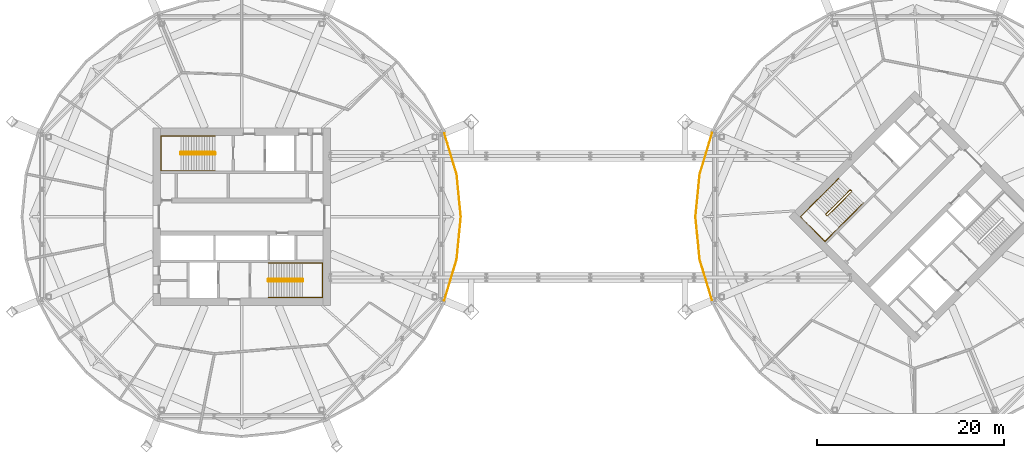
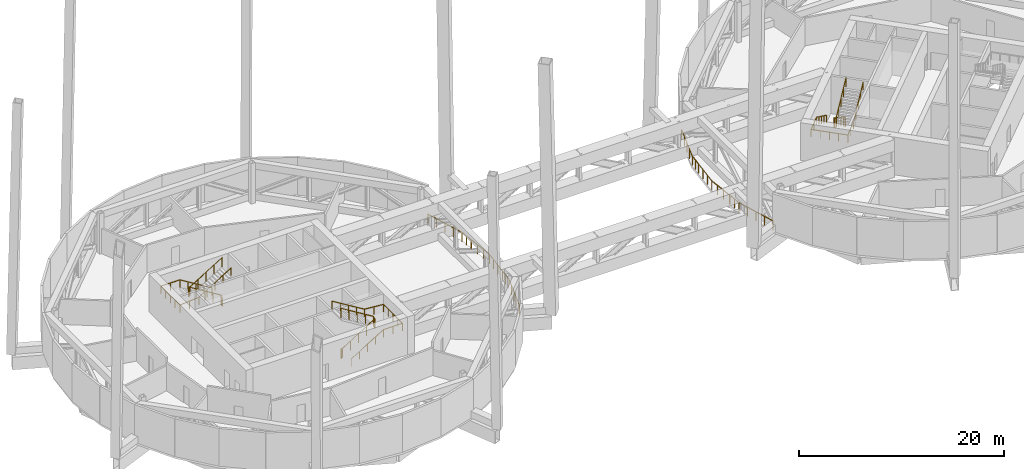
# One storey, part 18 of 19: 12 railings.
"""IFC4 building model written with IfcOpenShell, lengths in metres."""

from ifc_helpers import new_model, si_unit, direction, frame, origin, origin_2d, place, context, subcontext, project, spatial, circle, extrude, material, type_object, element, save


model = new_model("IFC4")

# Units and contexts
model_context = context("Model", 3, precision=1e-05, world=origin(), true_north=direction((0.0, 1.0)))
body_context = subcontext(model_context, "Body", "Model", "MODEL_VIEW")
ifc_project = project(units=[si_unit("LENGTHUNIT", "METRE"), si_unit("AREAUNIT", "SQUARE_METRE"), si_unit("VOLUMEUNIT", "CUBIC_METRE"), si_unit("PLANEANGLEUNIT", "RADIAN"), si_unit("MASSUNIT", "GRAM", prefix="KILO")], contexts=[model_context])

# Site, building, storey
site_placement = place(None, origin())
site = spatial("IfcSite", under=ifc_project, at=site_placement, CompositionType="ELEMENT")
building_placement = place(site_placement, origin())
building = spatial("IfcBuilding", under=site, at=building_placement, Name="Ogive Gate Towers", CompositionType="ELEMENT")
storey_placement = place(building_placement, frame((0.0, 0.0, 130.800048828125)))
storey = spatial("IfcBuildingStorey", under=building, at=storey_placement, Name="L31", CompositionType="ELEMENT", Elevation=130.800048828125)

# Railings
ifc_material = material(Name="Stainless steel", Category="steel")
railing_type_1 = type_object("IfcRailingType", Name="Guard 1100", PredefinedType="GUARDRAIL", material=ifc_material)
railing_1_placement = place(storey_placement, frame((-14.33544921875, -8.9736328125, 0.0)))
element("IfcRailing", 1, at=railing_1_placement, inside=storey, type_object=railing_type_1, Name="Gate arc guard", PredefinedType="GUARDRAIL", context=body_context, shape_type="SweptSolid", body=[
    extrude(circle(Radius=0.02392578125, at=origin_2d()), frame((0.0, 0.0, 1.076171875), z_axis=(0.290250605757, 0.956950670546, 0.0), x_axis=(-0.956950670546, 0.290250605757, 0.0)), (0.0, 0.0, 1.0), 4.596923828125),
    extrude(circle(Radius=0.02392578125, at=origin_2d()), frame((1.334228515625, 4.39892578125, 1.076171875), z_axis=(0.098166390147, 0.995170015548, 0.0), x_axis=(-0.995170015548, 0.098166390147, 0.0)), (0.0, 0.0, 1.0), 1.482177734375),
    extrude(circle(Radius=0.02099609375, at=origin_2d()), origin(), (0.0, 0.0, 1.0), 1.052001953125),
    extrude(circle(Radius=0.02099609375, at=origin_2d()), frame((0.33349609375, 1.099609375, 0.0)), (0.0, 0.0, 1.0), 1.052001953125),
    extrude(circle(Radius=0.02099609375, at=origin_2d()), frame((0.6669921875, 2.199462890625, 0.0)), (0.0, 0.0, 1.0), 1.052001953125),
    extrude(circle(Radius=0.02099609375, at=origin_2d()), frame((1.000732421875, 3.29931640625, 0.0)), (0.0, 0.0, 1.0), 1.052001953125),
    extrude(circle(Radius=0.02099609375, at=origin_2d()), frame((1.334228515625, 4.39892578125, 0.0)), (0.0, 0.0, 1.0), 1.052001953125),
    extrude(circle(Radius=0.02099609375, at=origin_2d()), frame((1.406982421875, 5.136474609375, 0.0)), (0.0, 0.0, 1.0), 1.052001953125),
    extrude(circle(Radius=0.02099609375, at=origin_2d()), frame((1.479736328125, 5.8740234375, 0.0)), (0.0, 0.0, 1.0), 1.052001953125),
])
railing_2_placement = place(storey_placement, frame((-12.850830078125, -3.0498046875, 0.0)))
element("IfcRailing", 2, at=railing_2_placement, inside=storey, type_object=railing_type_1, Name="Gate arc guard", PredefinedType="GUARDRAIL", context=body_context, shape_type="SweptSolid", body=[
    extrude(circle(Radius=0.02392578125, at=origin_2d()), frame((0.0, 0.0, 1.076171875), z_axis=(0.097989161289, 0.99518748197, 0.0), x_axis=(-0.99518748197, 0.097989161289, 0.0)), (0.0, 0.0, 1.0), 3.064453125),
    extrude(circle(Radius=0.02392578125, at=origin_2d()), frame((0.30029296875, 3.0498046875, 1.076171875), z_axis=(-0.097996095944, 0.995186799139, 0.0), x_axis=(-0.995186799139, -0.097996095944, 0.0)), (0.0, 0.0, 1.0), 3.014404296875),
    extrude(circle(Radius=0.02099609375, at=origin_2d()), origin(), (0.0, 0.0, 1.0), 1.052001953125),
    extrude(circle(Radius=0.02099609375, at=origin_2d()), frame((0.10009765625, 1.0166015625, 0.0)), (0.0, 0.0, 1.0), 1.052001953125),
    extrude(circle(Radius=0.02099609375, at=origin_2d()), frame((0.2001953125, 2.033203125, 0.0)), (0.0, 0.0, 1.0), 1.052001953125),
    extrude(circle(Radius=0.02099609375, at=origin_2d()), frame((0.30029296875, 3.0498046875, 0.0)), (0.0, 0.0, 1.0), 1.052001953125),
    extrude(circle(Radius=0.02099609375, at=origin_2d()), frame((0.201904296875, 4.0498046875, 0.0)), (0.0, 0.0, 1.0), 1.052001953125),
    extrude(circle(Radius=0.02099609375, at=origin_2d()), frame((0.103271484375, 5.0498046875, 0.0)), (0.0, 0.0, 1.0), 1.052001953125),
    extrude(circle(Radius=0.02099609375, at=origin_2d()), frame((0.0048828125, 6.0498046875, 0.0)), (0.0, 0.0, 1.0), 1.052001953125),
])
railing_3_placement = place(storey_placement, frame((-12.850830078125, 3.0498046875, 0.0)))
element("IfcRailing", 3, at=railing_3_placement, inside=storey, type_object=railing_type_1, Name="Gate arc guard", PredefinedType="GUARDRAIL", context=body_context, shape_type="SweptSolid", body=[
    extrude(circle(Radius=0.02392578125, at=origin_2d()), frame((0.0, 0.0, 1.076171875), z_axis=(-0.098146959675, 0.995171932033, 0.0), x_axis=(-0.995171932033, -0.098146959675, 0.0)), (0.0, 0.0, 1.0), 1.5322265625),
    extrude(circle(Radius=0.02392578125, at=origin_2d()), frame((-0.150390625, 1.52490234375, 1.076171875), z_axis=(-0.290272650494, 0.956943983927, 0.0), x_axis=(-0.956943983927, -0.290272650494, 0.0)), (0.0, 0.0, 1.0), 4.546875),
    extrude(circle(Radius=0.02099609375, at=origin_2d()), origin(), (0.0, 0.0, 1.0), 1.052001953125),
    extrude(circle(Radius=0.02099609375, at=origin_2d()), frame((-0.0751953125, 0.762451171875, 0.0)), (0.0, 0.0, 1.0), 1.052001953125),
    extrude(circle(Radius=0.02099609375, at=origin_2d()), frame((-0.150390625, 1.52490234375, 0.0)), (0.0, 0.0, 1.0), 1.052001953125),
    extrude(circle(Radius=0.02099609375, at=origin_2d()), frame((-0.48046875, 2.61279296875, 0.0)), (0.0, 0.0, 1.0), 1.052001953125),
    extrude(circle(Radius=0.02099609375, at=origin_2d()), frame((-0.810302734375, 3.700439453125, 0.0)), (0.0, 0.0, 1.0), 1.052001953125),
    extrude(circle(Radius=0.02099609375, at=origin_2d()), frame((-1.14013671875, 4.7880859375, 0.0)), (0.0, 0.0, 1.0), 1.052001953125),
    extrude(circle(Radius=0.02099609375, at=origin_2d()), frame((-1.47021484375, 5.8759765625, 0.0)), (0.0, 0.0, 1.0), 1.052001953125),
])
railing_4_placement = place(storey_placement, frame((14.33544921875, 8.9736328125, 0.0)))
element("IfcRailing", 4, at=railing_4_placement, inside=storey, type_object=railing_type_1, Name="Gate arc guard", PredefinedType="GUARDRAIL", context=body_context, shape_type="SweptSolid", body=[
    extrude(circle(Radius=0.02392578125, at=origin_2d()), frame((0.0, 0.0, 1.076171875), z_axis=(-0.290250605757, -0.956950670546, 0.0), x_axis=(0.956950670546, -0.290250605757, 0.0)), (0.0, 0.0, 1.0), 4.596923828125),
    extrude(circle(Radius=0.02392578125, at=origin_2d()), frame((-1.334228515625, -4.39892578125, 1.076171875), z_axis=(-0.098166390147, -0.995170015548, 0.0), x_axis=(0.995170015548, -0.098166390147, 0.0)), (0.0, 0.0, 1.0), 1.482177734375),
    extrude(circle(Radius=0.02099609375, at=origin_2d()), origin(), (0.0, 0.0, 1.0), 1.052001953125),
    extrude(circle(Radius=0.02099609375, at=origin_2d()), frame((-0.33349609375, -1.099609375, 0.0)), (0.0, 0.0, 1.0), 1.052001953125),
    extrude(circle(Radius=0.02099609375, at=origin_2d()), frame((-0.6669921875, -2.199462890625, 0.0)), (0.0, 0.0, 1.0), 1.052001953125),
    extrude(circle(Radius=0.02099609375, at=origin_2d()), frame((-1.000732421875, -3.29931640625, 0.0)), (0.0, 0.0, 1.0), 1.052001953125),
    extrude(circle(Radius=0.02099609375, at=origin_2d()), frame((-1.334228515625, -4.39892578125, 0.0)), (0.0, 0.0, 1.0), 1.052001953125),
    extrude(circle(Radius=0.02099609375, at=origin_2d()), frame((-1.406982421875, -5.136474609375, 0.0)), (0.0, 0.0, 1.0), 1.052001953125),
    extrude(circle(Radius=0.02099609375, at=origin_2d()), frame((-1.479736328125, -5.8740234375, 0.0)), (0.0, 0.0, 1.0), 1.052001953125),
])
railing_5_placement = place(storey_placement, frame((12.850830078125, 3.0498046875, 0.0)))
element("IfcRailing", 5, at=railing_5_placement, inside=storey, type_object=railing_type_1, Name="Gate arc guard", PredefinedType="GUARDRAIL", context=body_context, shape_type="SweptSolid", body=[
    extrude(circle(Radius=0.02392578125, at=origin_2d()), frame((0.0, 0.0, 1.076171875), z_axis=(-0.097989161289, -0.99518748197, 0.0), x_axis=(0.99518748197, -0.097989161289, 0.0)), (0.0, 0.0, 1.0), 3.064453125),
    extrude(circle(Radius=0.02392578125, at=origin_2d()), frame((-0.30029296875, -3.0498046875, 1.076171875), z_axis=(0.097996095944, -0.995186799139, 0.0), x_axis=(0.995186799139, 0.097996095944, 0.0)), (0.0, 0.0, 1.0), 3.014404296875),
    extrude(circle(Radius=0.02099609375, at=origin_2d()), origin(), (0.0, 0.0, 1.0), 1.052001953125),
    extrude(circle(Radius=0.02099609375, at=origin_2d()), frame((-0.10009765625, -1.0166015625, 0.0)), (0.0, 0.0, 1.0), 1.052001953125),
    extrude(circle(Radius=0.02099609375, at=origin_2d()), frame((-0.2001953125, -2.033203125, 0.0)), (0.0, 0.0, 1.0), 1.052001953125),
    extrude(circle(Radius=0.02099609375, at=origin_2d()), frame((-0.30029296875, -3.0498046875, 0.0)), (0.0, 0.0, 1.0), 1.052001953125),
    extrude(circle(Radius=0.02099609375, at=origin_2d()), frame((-0.201904296875, -4.0498046875, 0.0)), (0.0, 0.0, 1.0), 1.052001953125),
    extrude(circle(Radius=0.02099609375, at=origin_2d()), frame((-0.103271484375, -5.0498046875, 0.0)), (0.0, 0.0, 1.0), 1.052001953125),
    extrude(circle(Radius=0.02099609375, at=origin_2d()), frame((-0.0048828125, -6.0498046875, 0.0)), (0.0, 0.0, 1.0), 1.052001953125),
])
railing_6_placement = place(storey_placement, frame((12.850830078125, -3.0498046875, 0.0)))
element("IfcRailing", 6, at=railing_6_placement, inside=storey, type_object=railing_type_1, Name="Gate arc guard", PredefinedType="GUARDRAIL", context=body_context, shape_type="SweptSolid", body=[
    extrude(circle(Radius=0.02392578125, at=origin_2d()), frame((0.0, 0.0, 1.076171875), z_axis=(0.098146959675, -0.995171932033, 0.0), x_axis=(0.995171932033, 0.098146959675, 0.0)), (0.0, 0.0, 1.0), 1.5322265625),
    extrude(circle(Radius=0.02392578125, at=origin_2d()), frame((0.150390625, -1.52490234375, 1.076171875), z_axis=(0.290272650494, -0.956943983927, 0.0), x_axis=(0.956943983927, 0.290272650494, 0.0)), (0.0, 0.0, 1.0), 4.546875),
    extrude(circle(Radius=0.02099609375, at=origin_2d()), origin(), (0.0, 0.0, 1.0), 1.052001953125),
    extrude(circle(Radius=0.02099609375, at=origin_2d()), frame((0.0751953125, -0.762451171875, 0.0)), (0.0, 0.0, 1.0), 1.052001953125),
    extrude(circle(Radius=0.02099609375, at=origin_2d()), frame((0.150390625, -1.52490234375, 0.0)), (0.0, 0.0, 1.0), 1.052001953125),
    extrude(circle(Radius=0.02099609375, at=origin_2d()), frame((0.48046875, -2.61279296875, 0.0)), (0.0, 0.0, 1.0), 1.052001953125),
    extrude(circle(Radius=0.02099609375, at=origin_2d()), frame((0.810302734375, -3.700439453125, 0.0)), (0.0, 0.0, 1.0), 1.052001953125),
    extrude(circle(Radius=0.02099609375, at=origin_2d()), frame((1.14013671875, -4.7880859375, 0.0)), (0.0, 0.0, 1.0), 1.052001953125),
    extrude(circle(Radius=0.02099609375, at=origin_2d()), frame((1.47021484375, -5.8759765625, 0.0)), (0.0, 0.0, 1.0), 1.052001953125),
])
railing_type_2 = type_object("IfcRailingType", Name="Stair guard 1100", PredefinedType="GUARDRAIL", material=ifc_material)
railing_7_placement = place(storey_placement, frame((-38.81494140625, 6.860107421875, 0.0)))
element("IfcRailing", 7, at=railing_7_placement, inside=storey, type_object=railing_type_2, Name="L31 ST1 stair guard 1", PredefinedType="GUARDRAIL", context=body_context, shape_type="SweptSolid", body=[
    extrude(circle(Radius=0.02392578125, at=origin_2d()), frame((0.0, 0.0, 1.076171875), z_axis=(0.0, -1.0, 0.0), x_axis=(1.0, 0.0, 0.0)), (0.0, 0.0, 1.0), 0.14501953125),
    extrude(circle(Radius=0.02392578125, at=origin_2d()), frame((0.0, -0.14501953125, 1.076171875), z_axis=(-0.189390444499, 0.737236949804, 0.648546790429), x_axis=(-0.968551454522, -0.24881334358, 0.0)), (0.0, 0.0, 1.0), 0.26416015625),
    extrude(circle(Radius=0.02392578125, at=origin_2d()), frame((-0.050048828125, 0.0498046875, 1.24755859375), z_axis=(-0.852850264322, 0.0, 0.5221555579), x_axis=(0.0, -1.0, 0.0)), (0.0, 0.0, 1.0), 4.267822265625),
    extrude(circle(Radius=0.02392578125, at=origin_2d()), frame((-3.68994140625, 0.0498046875, 3.47607421875), z_axis=(-0.708833529934, -0.705375805398, 0.0), x_axis=(0.705375805398, -0.708833529934, 0.0)), (0.0, 0.0, 1.0), 0.070556640625),
    extrude(circle(Radius=0.02392578125, at=origin_2d()), frame((-3.739990234375, 0.0, 3.47607421875), z_axis=(0.0, -1.0, 0.0), x_axis=(1.0, 0.0, 0.0)), (0.0, 0.0, 1.0), 0.14501953125),
    extrude(circle(Radius=0.02392578125, at=origin_2d()), frame((-3.739990234375, -0.14501953125, 3.47607421875), z_axis=(0.269911200495, -0.269911200495, 0.924281281696), x_axis=(0.707106781187, 0.707106781187, 0.0)), (0.0, 0.0, 1.0), 0.185546875),
    extrude(circle(Radius=0.02392578125, at=origin_2d()), frame((-3.68994140625, -0.195068359375, 3.6474609375), z_axis=(0.852824790078, 0.0, 0.522197163366), x_axis=(0.0, 1.0, 0.0)), (0.0, 0.0, 1.0), 4.26806640625),
    extrude(circle(Radius=0.02099609375, at=origin_2d()), origin(), (0.0, 0.0, 1.0), 1.052001953125),
    extrude(circle(Radius=0.02099609375, at=origin_2d()), frame((0.0, -0.14501953125, 0.0)), (0.0, 0.0, 1.0), 1.052001953125),
    extrude(circle(Radius=0.02099609375, at=origin_2d()), frame((-0.050048828125, 0.0498046875, 0.17138671875)), (0.0, 0.0, 1.0), 1.052001953125),
    extrude(circle(Radius=0.02099609375, at=origin_2d()), frame((-0.9599609375, 0.0498046875, 0.728515625)), (0.0, 0.0, 1.0), 1.052001953125),
    extrude(circle(Radius=0.02099609375, at=origin_2d()), frame((-1.8701171875, 0.0498046875, 1.28564453125)), (0.0, 0.0, 1.0), 1.052001953125),
    extrude(circle(Radius=0.02099609375, at=origin_2d()), frame((-2.780029296875, 0.0498046875, 1.8427734375)), (0.0, 0.0, 1.0), 1.052001953125),
    extrude(circle(Radius=0.02099609375, at=origin_2d()), frame((-3.68994140625, 0.0498046875, 2.39990234375)), (0.0, 0.0, 1.0), 1.052001953125),
    extrude(circle(Radius=0.02099609375, at=origin_2d()), frame((-3.739990234375, 0.0, 2.39990234375)), (0.0, 0.0, 1.0), 1.052001953125),
    extrude(circle(Radius=0.02099609375, at=origin_2d()), frame((-3.739990234375, -0.14501953125, 2.39990234375)), (0.0, 0.0, 1.0), 1.052001953125),
    extrude(circle(Radius=0.02099609375, at=origin_2d()), frame((-3.68994140625, -0.195068359375, 2.5712890625)), (0.0, 0.0, 1.0), 1.052001953125),
    extrude(circle(Radius=0.02099609375, at=origin_2d()), frame((-2.780029296875, -0.195068359375, 3.12841796875)), (0.0, 0.0, 1.0), 1.052001953125),
    extrude(circle(Radius=0.02099609375, at=origin_2d()), frame((-1.8701171875, -0.195068359375, 3.685546875)), (0.0, 0.0, 1.0), 1.052001953125),
    extrude(circle(Radius=0.02099609375, at=origin_2d()), frame((-0.9599609375, -0.195068359375, 4.242919921875)), (0.0, 0.0, 1.0), 1.052001953125),
    extrude(circle(Radius=0.02099609375, at=origin_2d()), frame((-0.050048828125, -0.195068359375, 4.800048828125)), (0.0, 0.0, 1.0), 1.052001953125),
])
railing_8_placement = place(storey_placement, frame((-33.18505859375, -6.860107421875, 0.0)))
element("IfcRailing", 8, at=railing_8_placement, inside=storey, type_object=railing_type_2, Name="L31 ST2 stair guard 1", PredefinedType="GUARDRAIL", context=body_context, shape_type="SweptSolid", body=[
    extrude(circle(Radius=0.02392578125, at=origin_2d()), frame((0.0, 0.0, 1.076171875), z_axis=(0.0, 1.0, 0.0), x_axis=(-1.0, 0.0, 0.0)), (0.0, 0.0, 1.0), 0.14501953125),
    extrude(circle(Radius=0.02392578125, at=origin_2d()), frame((0.0, 0.14501953125, 1.076171875), z_axis=(0.189390444499, -0.737236949804, 0.648546790429), x_axis=(0.968551454522, 0.24881334358, 0.0)), (0.0, 0.0, 1.0), 0.26416015625),
    extrude(circle(Radius=0.02392578125, at=origin_2d()), frame((0.050048828125, -0.0498046875, 1.24755859375), z_axis=(0.852850264322, 0.0, 0.5221555579), x_axis=(0.0, 1.0, 0.0)), (0.0, 0.0, 1.0), 4.267822265625),
    extrude(circle(Radius=0.02392578125, at=origin_2d()), frame((3.68994140625, -0.0498046875, 3.47607421875), z_axis=(0.708833529934, 0.705375805398, 0.0), x_axis=(-0.705375805398, 0.708833529934, 0.0)), (0.0, 0.0, 1.0), 0.070556640625),
    extrude(circle(Radius=0.02392578125, at=origin_2d()), frame((3.739990234375, 0.0, 3.47607421875), z_axis=(0.0, 1.0, 0.0), x_axis=(-1.0, 0.0, 0.0)), (0.0, 0.0, 1.0), 0.14501953125),
    extrude(circle(Radius=0.02392578125, at=origin_2d()), frame((3.739990234375, 0.14501953125, 3.47607421875), z_axis=(-0.269911200495, 0.269911200495, 0.924281281696), x_axis=(-0.707106781187, -0.707106781187, 0.0)), (0.0, 0.0, 1.0), 0.185546875),
    extrude(circle(Radius=0.02392578125, at=origin_2d()), frame((3.68994140625, 0.195068359375, 3.6474609375), z_axis=(-0.852824790078, 0.0, 0.522197163366), x_axis=(0.0, -1.0, 0.0)), (0.0, 0.0, 1.0), 4.26806640625),
    extrude(circle(Radius=0.02099609375, at=origin_2d()), origin(), (0.0, 0.0, 1.0), 1.052001953125),
    extrude(circle(Radius=0.02099609375, at=origin_2d()), frame((0.0, 0.14501953125, 0.0)), (0.0, 0.0, 1.0), 1.052001953125),
    extrude(circle(Radius=0.02099609375, at=origin_2d()), frame((0.050048828125, -0.0498046875, 0.17138671875)), (0.0, 0.0, 1.0), 1.052001953125),
    extrude(circle(Radius=0.02099609375, at=origin_2d()), frame((0.9599609375, -0.0498046875, 0.728515625)), (0.0, 0.0, 1.0), 1.052001953125),
    extrude(circle(Radius=0.02099609375, at=origin_2d()), frame((1.8701171875, -0.0498046875, 1.28564453125)), (0.0, 0.0, 1.0), 1.052001953125),
    extrude(circle(Radius=0.02099609375, at=origin_2d()), frame((2.780029296875, -0.0498046875, 1.8427734375)), (0.0, 0.0, 1.0), 1.052001953125),
    extrude(circle(Radius=0.02099609375, at=origin_2d()), frame((3.68994140625, -0.0498046875, 2.39990234375)), (0.0, 0.0, 1.0), 1.052001953125),
    extrude(circle(Radius=0.02099609375, at=origin_2d()), frame((3.739990234375, 0.0, 2.39990234375)), (0.0, 0.0, 1.0), 1.052001953125),
    extrude(circle(Radius=0.02099609375, at=origin_2d()), frame((3.739990234375, 0.14501953125, 2.39990234375)), (0.0, 0.0, 1.0), 1.052001953125),
    extrude(circle(Radius=0.02099609375, at=origin_2d()), frame((3.68994140625, 0.195068359375, 2.5712890625)), (0.0, 0.0, 1.0), 1.052001953125),
    extrude(circle(Radius=0.02099609375, at=origin_2d()), frame((2.780029296875, 0.195068359375, 3.12841796875)), (0.0, 0.0, 1.0), 1.052001953125),
    extrude(circle(Radius=0.02099609375, at=origin_2d()), frame((1.8701171875, 0.195068359375, 3.685546875)), (0.0, 0.0, 1.0), 1.052001953125),
    extrude(circle(Radius=0.02099609375, at=origin_2d()), frame((0.9599609375, 0.195068359375, 4.242919921875)), (0.0, 0.0, 1.0), 1.052001953125),
    extrude(circle(Radius=0.02099609375, at=origin_2d()), frame((0.050048828125, 0.195068359375, 4.800048828125)), (0.0, 0.0, 1.0), 1.052001953125),
])
railing_9_placement = place(storey_placement, frame((29.15869140625, 2.8603515625, 0.0)))
element("IfcRailing", 9, at=railing_9_placement, inside=storey, type_object=railing_type_2, Name="L31 ST1 stair guard 1", PredefinedType="GUARDRAIL", context=body_context, shape_type="SweptSolid", body=[
    extrude(circle(Radius=0.02392578125, at=origin_2d()), frame((0.0, 0.0, 1.076171875), z_axis=(0.707106781187, -0.707106781187, 0.0), x_axis=(0.707106781187, 0.707106781187, 0.0)), (0.0, 0.0, 1.0), 0.14501953125),
    extrude(circle(Radius=0.02392578125, at=origin_2d()), frame((0.1025390625, -0.1025390625, 1.076171875), z_axis=(-0.65494335095, 0.387977725527, 0.648477055524), x_axis=(-0.509669330572, -0.860370369942, 0.0)), (0.0, 0.0, 1.0), 0.264404296875),
    extrude(circle(Radius=0.02392578125, at=origin_2d()), frame((-0.070556640625, 0.0, 1.24755859375), z_axis=(-0.603067823642, -0.603067823642, 0.522128719929), x_axis=(0.707106781187, -0.707106781187, 0.0)), (0.0, 0.0, 1.0), 4.26806640625),
    extrude(circle(Radius=0.02392578125, at=origin_2d()), frame((-2.64453125, -2.573974609375, 3.47607421875), z_axis=(0.0, -1.0, 0.0), x_axis=(1.0, 0.0, 0.0)), (0.0, 0.0, 1.0), 0.07080078125),
    extrude(circle(Radius=0.02392578125, at=origin_2d()), frame((-2.64453125, -2.644775390625, 3.47607421875), z_axis=(0.707106781187, -0.707106781187, 0.0), x_axis=(0.707106781187, 0.707106781187, 0.0)), (0.0, 0.0, 1.0), 0.14501953125),
    extrude(circle(Radius=0.02392578125, at=origin_2d()), frame((-2.5419921875, -2.747314453125, 3.47607421875), z_axis=(0.381809054019, 0.0, 0.924241227315), x_axis=(0.0, 1.0, 0.0)), (0.0, 0.0, 1.0), 0.185546875),
    extrude(circle(Radius=0.02392578125, at=origin_2d()), frame((-2.47119140625, -2.747314453125, 3.6474609375), z_axis=(0.603013412715, 0.60307061376, 0.522188336623), x_axis=(-0.707140316402, 0.707073244381, 0.0)), (0.0, 0.0, 1.0), 4.26806640625),
    extrude(circle(Radius=0.02099609375, at=origin_2d()), origin(), (0.0, 0.0, 1.0), 1.052001953125),
    extrude(circle(Radius=0.02099609375, at=origin_2d()), frame((0.1025390625, -0.1025390625, 0.0)), (0.0, 0.0, 1.0), 1.052001953125),
    extrude(circle(Radius=0.02099609375, at=origin_2d()), frame((-0.070556640625, 0.0, 0.17138671875)), (0.0, 0.0, 1.0), 1.052001953125),
    extrude(circle(Radius=0.02099609375, at=origin_2d()), frame((-0.714111328125, -0.6435546875, 0.728515625)), (0.0, 0.0, 1.0), 1.052001953125),
    extrude(circle(Radius=0.02099609375, at=origin_2d()), frame((-1.357421875, -1.287109375, 1.28564453125)), (0.0, 0.0, 1.0), 1.052001953125),
    extrude(circle(Radius=0.02099609375, at=origin_2d()), frame((-2.0009765625, -1.930419921875, 1.8427734375)), (0.0, 0.0, 1.0), 1.052001953125),
    extrude(circle(Radius=0.02099609375, at=origin_2d()), frame((-2.64453125, -2.573974609375, 2.39990234375)), (0.0, 0.0, 1.0), 1.052001953125),
    extrude(circle(Radius=0.02099609375, at=origin_2d()), frame((-2.64453125, -2.644775390625, 2.39990234375)), (0.0, 0.0, 1.0), 1.052001953125),
    extrude(circle(Radius=0.02099609375, at=origin_2d()), frame((-2.5419921875, -2.747314453125, 2.39990234375)), (0.0, 0.0, 1.0), 1.052001953125),
    extrude(circle(Radius=0.02099609375, at=origin_2d()), frame((-2.47119140625, -2.747314453125, 2.5712890625)), (0.0, 0.0, 1.0), 1.052001953125),
    extrude(circle(Radius=0.02099609375, at=origin_2d()), frame((-1.82763671875, -2.103759765625, 3.12841796875)), (0.0, 0.0, 1.0), 1.052001953125),
    extrude(circle(Radius=0.02099609375, at=origin_2d()), frame((-1.184326171875, -1.46044921875, 3.685546875)), (0.0, 0.0, 1.0), 1.052001953125),
    extrude(circle(Radius=0.02099609375, at=origin_2d()), frame((-0.541015625, -0.81689453125, 4.242919921875)), (0.0, 0.0, 1.0), 1.052001953125),
    extrude(circle(Radius=0.02099609375, at=origin_2d()), frame((0.1025390625, -0.17333984375, 4.800048828125)), (0.0, 0.0, 1.0), 1.052001953125),
])
railing_type_3 = type_object("IfcRailingType", Name="Stair handrail 900", PredefinedType="HANDRAIL", material=ifc_material)
railing_10_placement = place(storey_placement, frame((-38.864990234375, 8.64990234375, 0.17138671875)))
element("IfcRailing", 10, at=railing_10_placement, inside=storey, type_object=railing_type_3, Name="L31 ST1 stair handrail 1", PredefinedType="HANDRAIL", context=body_context, shape_type="SweptSolid", body=[
    extrude(circle(Radius=0.02392578125, at=origin_2d()), frame((0.0, 0.0, 0.8759765625), z_axis=(-0.852850264322, 0.0, 0.5221555579), x_axis=(0.0, -1.0, 0.0)), (0.0, 0.0, 1.0), 4.267822265625),
    extrude(circle(Radius=0.02392578125, at=origin_2d()), frame((-3.639892578125, 0.0, 3.1044921875), z_axis=(-1.0, 0.0, 0.0), x_axis=(0.0, -1.0, 0.0)), (0.0, 0.0, 1.0), 2.14501953125),
    extrude(circle(Radius=0.02392578125, at=origin_2d()), frame((-5.784912109375, 0.0, 3.1044921875), z_axis=(0.0, -1.0, 0.0), x_axis=(1.0, 0.0, 0.0)), (0.0, 0.0, 1.0), 3.724853515625),
    extrude(circle(Radius=0.02392578125, at=origin_2d()), frame((-5.784912109375, -3.724853515625, 3.1044921875), z_axis=(0.996823210099, 0.0, 0.079646015649), x_axis=(0.0, 1.0, 0.0)), (0.0, 0.0, 1.0), 2.15185546875),
    extrude(circle(Radius=0.02392578125, at=origin_2d()), frame((-3.639892578125, -3.724853515625, 3.27587890625), z_axis=(0.852824790078, 0.0, 0.522197163366), x_axis=(0.0, 1.0, 0.0)), (0.0, 0.0, 1.0), 4.26806640625),
    extrude(circle(Radius=0.02099609375, at=origin_2d()), origin(), (0.0, 0.0, 1.0), 0.851806640625),
    extrude(circle(Radius=0.02099609375, at=origin_2d()), frame((-0.909912109375, 0.0, 0.55712890625)), (0.0, 0.0, 1.0), 0.851806640625),
    extrude(circle(Radius=0.02099609375, at=origin_2d()), frame((-1.81982421875, 0.0, 1.1142578125)), (0.0, 0.0, 1.0), 0.851806640625),
    extrude(circle(Radius=0.02099609375, at=origin_2d()), frame((-2.72998046875, 0.0, 1.67138671875)), (0.0, 0.0, 1.0), 0.851806640625),
    extrude(circle(Radius=0.02099609375, at=origin_2d()), frame((-3.639892578125, 0.0, 2.228515625)), (0.0, 0.0, 1.0), 0.851806640625),
    extrude(circle(Radius=0.02099609375, at=origin_2d()), frame((-4.71240234375, 0.0, 2.228515625)), (0.0, 0.0, 1.0), 0.851806640625),
    extrude(circle(Radius=0.02099609375, at=origin_2d()), frame((-5.784912109375, 0.0, 2.228515625)), (0.0, 0.0, 1.0), 0.851806640625),
    extrude(circle(Radius=0.02099609375, at=origin_2d()), frame((-5.784912109375, -0.93115234375, 2.228515625)), (0.0, 0.0, 1.0), 0.851806640625),
    extrude(circle(Radius=0.02099609375, at=origin_2d()), frame((-5.784912109375, -1.8623046875, 2.228515625)), (0.0, 0.0, 1.0), 0.851806640625),
    extrude(circle(Radius=0.02099609375, at=origin_2d()), frame((-5.784912109375, -2.793701171875, 2.228515625)), (0.0, 0.0, 1.0), 0.851806640625),
    extrude(circle(Radius=0.02099609375, at=origin_2d()), frame((-5.784912109375, -3.724853515625, 2.228515625)), (0.0, 0.0, 1.0), 0.851806640625),
    extrude(circle(Radius=0.02099609375, at=origin_2d()), frame((-4.71240234375, -3.724853515625, 2.314208984375)), (0.0, 0.0, 1.0), 0.851806640625),
    extrude(circle(Radius=0.02099609375, at=origin_2d()), frame((-3.639892578125, -3.724853515625, 2.39990234375)), (0.0, 0.0, 1.0), 0.851806640625),
    extrude(circle(Radius=0.02099609375, at=origin_2d()), frame((-2.72998046875, -3.724853515625, 2.95703125)), (0.0, 0.0, 1.0), 0.851806640625),
    extrude(circle(Radius=0.02099609375, at=origin_2d()), frame((-1.81982421875, -3.724853515625, 3.51416015625)), (0.0, 0.0, 1.0), 0.851806640625),
    extrude(circle(Radius=0.02099609375, at=origin_2d()), frame((-0.909912109375, -3.724853515625, 4.071533203125)), (0.0, 0.0, 1.0), 0.851806640625),
    extrude(circle(Radius=0.02099609375, at=origin_2d()), frame((0.0, -3.724853515625, 4.628662109375)), (0.0, 0.0, 1.0), 0.851806640625),
])
railing_11_placement = place(storey_placement, frame((-33.135009765625, -8.64990234375, 0.17138671875)))
element("IfcRailing", 11, at=railing_11_placement, inside=storey, type_object=railing_type_3, Name="L31 ST2 stair handrail 1", PredefinedType="HANDRAIL", context=body_context, shape_type="SweptSolid", body=[
    extrude(circle(Radius=0.02392578125, at=origin_2d()), frame((0.0, 0.0, 0.8759765625), z_axis=(0.852850264322, 0.0, 0.5221555579), x_axis=(0.0, 1.0, 0.0)), (0.0, 0.0, 1.0), 4.267822265625),
    extrude(circle(Radius=0.02392578125, at=origin_2d()), frame((3.639892578125, 0.0, 3.1044921875), z_axis=(1.0, 0.0, 0.0), x_axis=(0.0, 1.0, 0.0)), (0.0, 0.0, 1.0), 2.14501953125),
    extrude(circle(Radius=0.02392578125, at=origin_2d()), frame((5.784912109375, 0.0, 3.1044921875), z_axis=(0.0, 1.0, 0.0), x_axis=(-1.0, 0.0, 0.0)), (0.0, 0.0, 1.0), 3.724853515625),
    extrude(circle(Radius=0.02392578125, at=origin_2d()), frame((5.784912109375, 3.724853515625, 3.1044921875), z_axis=(-0.996823210099, 0.0, 0.079646015649), x_axis=(0.0, -1.0, 0.0)), (0.0, 0.0, 1.0), 2.15185546875),
    extrude(circle(Radius=0.02392578125, at=origin_2d()), frame((3.639892578125, 3.724853515625, 3.27587890625), z_axis=(-0.852824790078, 0.0, 0.522197163366), x_axis=(0.0, -1.0, 0.0)), (0.0, 0.0, 1.0), 4.26806640625),
    extrude(circle(Radius=0.02099609375, at=origin_2d()), origin(), (0.0, 0.0, 1.0), 0.851806640625),
    extrude(circle(Radius=0.02099609375, at=origin_2d()), frame((0.909912109375, 0.0, 0.55712890625)), (0.0, 0.0, 1.0), 0.851806640625),
    extrude(circle(Radius=0.02099609375, at=origin_2d()), frame((1.81982421875, 0.0, 1.1142578125)), (0.0, 0.0, 1.0), 0.851806640625),
    extrude(circle(Radius=0.02099609375, at=origin_2d()), frame((2.72998046875, 0.0, 1.67138671875)), (0.0, 0.0, 1.0), 0.851806640625),
    extrude(circle(Radius=0.02099609375, at=origin_2d()), frame((3.639892578125, 0.0, 2.228515625)), (0.0, 0.0, 1.0), 0.851806640625),
    extrude(circle(Radius=0.02099609375, at=origin_2d()), frame((4.71240234375, 0.0, 2.228515625)), (0.0, 0.0, 1.0), 0.851806640625),
    extrude(circle(Radius=0.02099609375, at=origin_2d()), frame((5.784912109375, 0.0, 2.228515625)), (0.0, 0.0, 1.0), 0.851806640625),
    extrude(circle(Radius=0.02099609375, at=origin_2d()), frame((5.784912109375, 0.93115234375, 2.228515625)), (0.0, 0.0, 1.0), 0.851806640625),
    extrude(circle(Radius=0.02099609375, at=origin_2d()), frame((5.784912109375, 1.8623046875, 2.228515625)), (0.0, 0.0, 1.0), 0.851806640625),
    extrude(circle(Radius=0.02099609375, at=origin_2d()), frame((5.784912109375, 2.793701171875, 2.228515625)), (0.0, 0.0, 1.0), 0.851806640625),
    extrude(circle(Radius=0.02099609375, at=origin_2d()), frame((5.784912109375, 3.724853515625, 2.228515625)), (0.0, 0.0, 1.0), 0.851806640625),
    extrude(circle(Radius=0.02099609375, at=origin_2d()), frame((4.71240234375, 3.724853515625, 2.314208984375)), (0.0, 0.0, 1.0), 0.851806640625),
    extrude(circle(Radius=0.02099609375, at=origin_2d()), frame((3.639892578125, 3.724853515625, 2.39990234375)), (0.0, 0.0, 1.0), 0.851806640625),
    extrude(circle(Radius=0.02099609375, at=origin_2d()), frame((2.72998046875, 3.724853515625, 2.95703125)), (0.0, 0.0, 1.0), 0.851806640625),
    extrude(circle(Radius=0.02099609375, at=origin_2d()), frame((1.81982421875, 3.724853515625, 3.51416015625)), (0.0, 0.0, 1.0), 0.851806640625),
    extrude(circle(Radius=0.02099609375, at=origin_2d()), frame((0.909912109375, 3.724853515625, 4.071533203125)), (0.0, 0.0, 1.0), 0.851806640625),
    extrude(circle(Radius=0.02099609375, at=origin_2d()), frame((0.0, 3.724853515625, 4.628662109375)), (0.0, 0.0, 1.0), 0.851806640625),
])
railing_12_placement = place(storey_placement, frame((27.857666015625, 4.090576171875, 0.17138671875)))
element("IfcRailing", 12, at=railing_12_placement, inside=storey, type_object=railing_type_3, Name="L31 ST1 stair handrail 1", PredefinedType="HANDRAIL", context=body_context, shape_type="SweptSolid", body=[
    extrude(circle(Radius=0.02392578125, at=origin_2d()), frame((0.0, 0.0, 0.8759765625), z_axis=(-0.60308862713, -0.603031424376, 0.522146731333), x_axis=(0.707073244381, -0.707140316402, 0.0)), (0.0, 0.0, 1.0), 4.26806640625),
    extrude(circle(Radius=0.02392578125, at=origin_2d()), frame((-2.573974609375, -2.57373046875, 3.1044921875), z_axis=(-0.707049868894, -0.707163688899, 0.0), x_axis=(0.707163688899, -0.707049868894, 0.0)), (0.0, 0.0, 1.0), 2.14501953125),
    extrude(circle(Radius=0.02392578125, at=origin_2d()), frame((-4.090576171875, -4.090576171875, 3.1044921875), z_axis=(0.707106781187, -0.707106781187, 0.0), x_axis=(0.707106781187, 0.707106781187, 0.0)), (0.0, 0.0, 1.0), 3.72509765625),
    extrude(circle(Radius=0.02392578125, at=origin_2d()), frame((-1.45654296875, -6.724609375, 3.1044921875), z_axis=(0.704803619142, 0.704917077548, 0.079647801133), x_axis=(-0.707163688899, 0.707049868894, 0.0)), (0.0, 0.0, 1.0), 2.15185546875),
    extrude(circle(Radius=0.02392578125, at=origin_2d()), frame((0.06005859375, -5.207763671875, 3.27587890625), z_axis=(0.60307061376, 0.603013412715, 0.522188336623), x_axis=(-0.707073244381, 0.707140316402, 0.0)), (0.0, 0.0, 1.0), 4.26806640625),
    extrude(circle(Radius=0.02099609375, at=origin_2d()), origin(), (0.0, 0.0, 1.0), 0.851806640625),
    extrude(circle(Radius=0.02099609375, at=origin_2d()), frame((-0.6435546875, -0.6435546875, 0.55712890625)), (0.0, 0.0, 1.0), 0.851806640625),
    extrude(circle(Radius=0.02099609375, at=origin_2d()), frame((-1.287109375, -1.286865234375, 1.1142578125)), (0.0, 0.0, 1.0), 0.851806640625),
    extrude(circle(Radius=0.02099609375, at=origin_2d()), frame((-1.930419921875, -1.93017578125, 1.67138671875)), (0.0, 0.0, 1.0), 0.851806640625),
    extrude(circle(Radius=0.02099609375, at=origin_2d()), frame((-2.573974609375, -2.57373046875, 2.228515625)), (0.0, 0.0, 1.0), 0.851806640625),
    extrude(circle(Radius=0.02099609375, at=origin_2d()), frame((-3.332275390625, -3.33203125, 2.228515625)), (0.0, 0.0, 1.0), 0.851806640625),
    extrude(circle(Radius=0.02099609375, at=origin_2d()), frame((-4.090576171875, -4.090576171875, 2.228515625)), (0.0, 0.0, 1.0), 0.851806640625),
    extrude(circle(Radius=0.02099609375, at=origin_2d()), frame((-3.43212890625, -4.7490234375, 2.228515625)), (0.0, 0.0, 1.0), 0.851806640625),
    extrude(circle(Radius=0.02099609375, at=origin_2d()), frame((-2.7734375, -5.40771484375, 2.228515625)), (0.0, 0.0, 1.0), 0.851806640625),
    extrude(circle(Radius=0.02099609375, at=origin_2d()), frame((-2.114990234375, -6.066162109375, 2.228515625)), (0.0, 0.0, 1.0), 0.851806640625),
    extrude(circle(Radius=0.02099609375, at=origin_2d()), frame((-1.45654296875, -6.724609375, 2.228515625)), (0.0, 0.0, 1.0), 0.851806640625),
    extrude(circle(Radius=0.02099609375, at=origin_2d()), frame((-0.6982421875, -5.96630859375, 2.314208984375)), (0.0, 0.0, 1.0), 0.851806640625),
    extrude(circle(Radius=0.02099609375, at=origin_2d()), frame((0.06005859375, -5.207763671875, 2.39990234375)), (0.0, 0.0, 1.0), 0.851806640625),
    extrude(circle(Radius=0.02099609375, at=origin_2d()), frame((0.70361328125, -4.564453125, 2.95703125)), (0.0, 0.0, 1.0), 0.851806640625),
    extrude(circle(Radius=0.02099609375, at=origin_2d()), frame((1.34716796875, -3.9208984375, 3.51416015625)), (0.0, 0.0, 1.0), 0.851806640625),
    extrude(circle(Radius=0.02099609375, at=origin_2d()), frame((1.990478515625, -3.27734375, 4.071533203125)), (0.0, 0.0, 1.0), 0.851806640625),
    extrude(circle(Radius=0.02099609375, at=origin_2d()), frame((2.634033203125, -2.634033203125, 4.628662109375)), (0.0, 0.0, 1.0), 0.851806640625),
])

save(model, "model.ifc")
